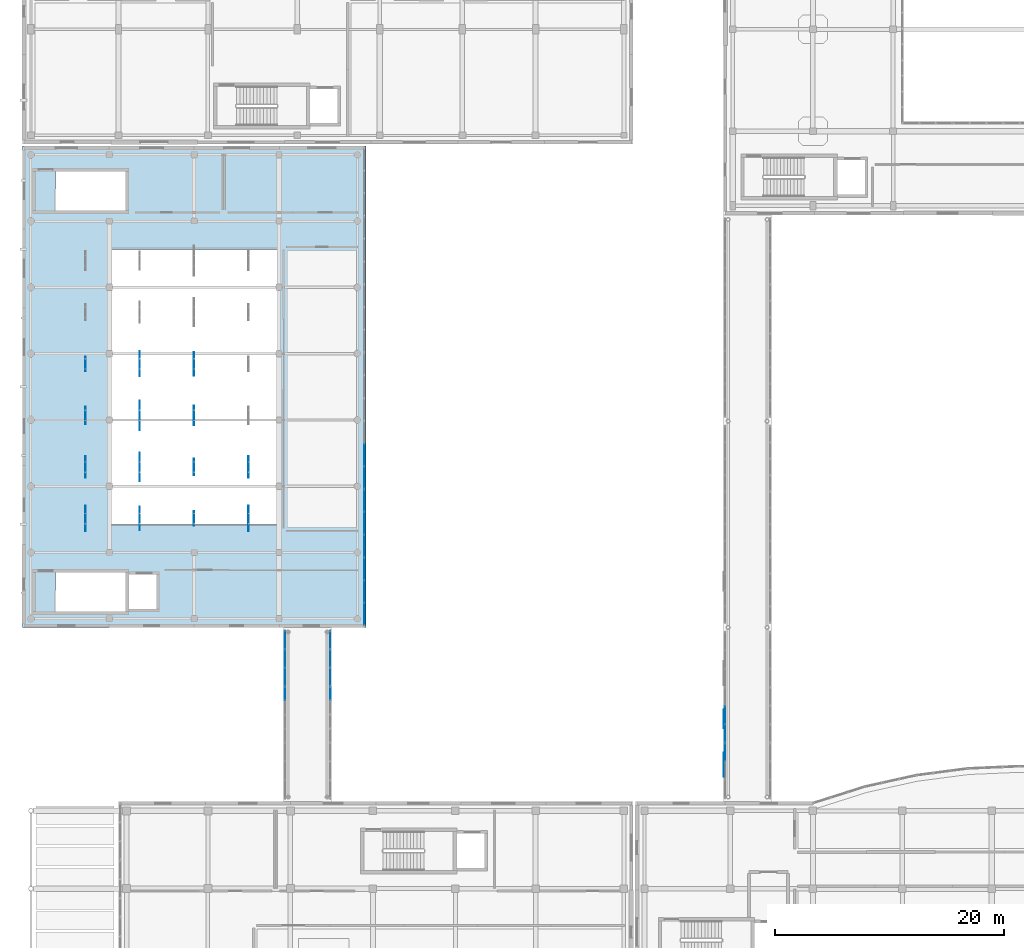
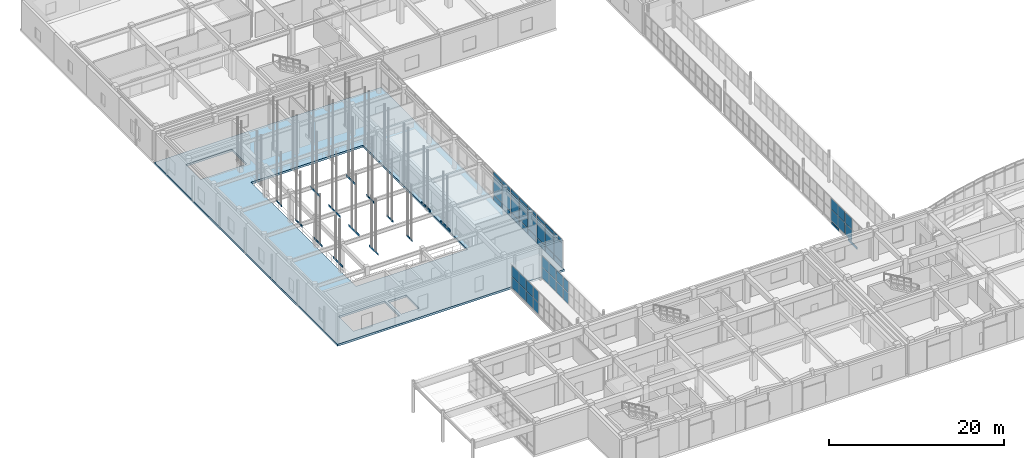
# One storey, part 105 of 142: 62 plates, 1 slab, 9 elements without a shape of their own.
"""IFC4 building model written with IfcOpenShell, lengths in metres."""

from ifc_helpers import new_model, si_unit, direction, frame, origin, origin_2d, place, context, subcontext, project, spatial, polyline, rectangle, outline, extrude, material, layer, layer_set, type_object, element, aggregate, save


model = new_model("IFC4")

# Units and contexts
model_context = context("Model", 3, precision=1e-05, world=origin(), true_north=direction((0.0, 1.0)))
body_context = subcontext(model_context, "Body", "Model", "MODEL_VIEW")
ifc_project = project(units=[si_unit("LENGTHUNIT", "METRE"), si_unit("AREAUNIT", "SQUARE_METRE"), si_unit("VOLUMEUNIT", "CUBIC_METRE"), si_unit("PLANEANGLEUNIT", "RADIAN"), si_unit("MASSUNIT", "GRAM", prefix="KILO")], contexts=[model_context])

# Site, building, storey
site_placement = place(None, origin())
site = spatial("IfcSite", under=ifc_project, at=site_placement, CompositionType="ELEMENT")
building_placement = place(site_placement, origin())
building = spatial("IfcBuilding", under=site, at=building_placement, Name="Valcora Specialist Clinic", CompositionType="ELEMENT")
storey_placement = place(building_placement, frame((0.0, 0.0, 5.10009765625)))
storey = spatial("IfcBuildingStorey", under=building, at=storey_placement, Name="L01", CompositionType="ELEMENT", Elevation=5.10009765625)

# Curtain wall, plates
ifc_material_1 = material(Name="Anodized Bronze Aluminium 6063-T6", Category="aluminium")
ifc_layer_1 = layer(ifc_material_1, 0.175048828125)
ifc_layer_set_1 = layer_set([ifc_layer_1], Name="Anodized Bronze Aluminium 6063-T6")
curtain_wall_type_1 = type_object("IfcCurtainWallType", Name="TY-CW-HAL18", PredefinedType="NOTDEFINED", material=ifc_layer_set_1)
curtain_wall_1_placement = place(storey_placement, origin())
curtain_wall_1 = element("IfcCurtainWall", 1, at=curtain_wall_1_placement, inside=storey, type_object=curtain_wall_type_1, Name="Curtain wall CW-L01-012", PredefinedType="NOTDEFINED")
ifc_material_2 = material(Name="Low-E Laminated Insulating Glass", Category="glass")
ifc_layer_2 = layer(ifc_material_2, 0.028076171875)
ifc_layer_set_2 = layer_set([ifc_layer_2], Name="Low-E Laminated Insulating Glass")
plate_type_1 = type_object("IfcPlateType", Name="TY-CWP-GLZ28", PredefinedType="CURTAIN_PANEL", material=ifc_layer_set_2)
plate_1_placement = place(storey_placement, frame((29.85009765625, 53.04296875, 0.88232421875), z_axis=(0.0, 0.0, 1.0), x_axis=(0.0, -1.0, 0.0)))
plate_1 = element("IfcPlate", 2, at=plate_1_placement, type_object=plate_type_1, Name="CW-HAL-18 panel 2.2", PredefinedType="CURTAIN_PANEL", context=body_context, shape_type="SweptSolid", body=[
    extrude(rectangle(XDim=1.920654296875, YDim=0.028076171875, at=origin_2d()), origin(), (0.0, 0.0, 1.0), 2.655029296875),
])
plate_2_placement = place(storey_placement, frame((29.85009765625, 53.04296875, 3.6025390625), z_axis=(0.0, 0.0, 1.0), x_axis=(0.0, -1.0, 0.0)))
plate_2 = element("IfcPlate", 3, at=plate_2_placement, type_object=plate_type_1, Name="CW-HAL-18 panel 2.3", PredefinedType="CURTAIN_PANEL", context=body_context, shape_type="SweptSolid", body=[
    extrude(rectangle(XDim=1.920654296875, YDim=0.028076171875, at=origin_2d()), origin(), (0.0, 0.0, 1.0), 0.452392578125),
])
plate_3_placement = place(storey_placement, frame((29.85009765625, 51.073486328125, 0.88232421875), z_axis=(0.0, 0.0, 1.0), x_axis=(0.0, -1.0, 0.0)))
plate_3 = element("IfcPlate", 4, at=plate_3_placement, type_object=plate_type_1, Name="CW-HAL-18 panel 3.2", PredefinedType="CURTAIN_PANEL", context=body_context, shape_type="SweptSolid", body=[
    extrude(rectangle(XDim=1.88818359375, YDim=0.028076171875, at=origin_2d()), origin(), (0.0, 0.0, 1.0), 2.655029296875),
])
plate_4_placement = place(storey_placement, frame((29.85009765625, 51.073486328125, 3.6025390625), z_axis=(0.0, 0.0, 1.0), x_axis=(0.0, -1.0, 0.0)))
plate_4 = element("IfcPlate", 5, at=plate_4_placement, type_object=plate_type_1, Name="CW-HAL-18 panel 3.3", PredefinedType="CURTAIN_PANEL", context=body_context, shape_type="SweptSolid", body=[
    extrude(rectangle(XDim=1.88818359375, YDim=0.028076171875, at=origin_2d()), origin(), (0.0, 0.0, 1.0), 0.452392578125),
])

curtain_wall_2_placement = place(storey_placement, origin())
curtain_wall_2 = element("IfcCurtainWall", 6, at=curtain_wall_2_placement, inside=storey, type_object=curtain_wall_type_1, Name="Curtain wall CW-L01-014", PredefinedType="NOTDEFINED")
plate_5_placement = place(storey_placement, frame((29.85009765625, 43.097900390625, 0.88232421875), z_axis=(0.0, 0.0, 1.0), x_axis=(0.0, -1.0, 0.0)))
plate_5 = element("IfcPlate", 7, at=plate_5_placement, type_object=plate_type_1, Name="CW-HAL-18 panel 1.2", PredefinedType="CURTAIN_PANEL", context=body_context, shape_type="SweptSolid", body=[
    extrude(rectangle(XDim=1.88818359375, YDim=0.028076171875, at=origin_2d()), origin(), (0.0, 0.0, 1.0), 2.655029296875),
])
plate_6_placement = place(storey_placement, frame((29.85009765625, 43.097900390625, 3.6025390625), z_axis=(0.0, 0.0, 1.0), x_axis=(0.0, -1.0, 0.0)))
plate_6 = element("IfcPlate", 8, at=plate_6_placement, type_object=plate_type_1, Name="CW-HAL-18 panel 1.3", PredefinedType="CURTAIN_PANEL", context=body_context, shape_type="SweptSolid", body=[
    extrude(rectangle(XDim=1.88818359375, YDim=0.028076171875, at=origin_2d()), origin(), (0.0, 0.0, 1.0), 0.452392578125),
])
plate_7_placement = place(storey_placement, frame((29.85009765625, 41.128662109375, 0.88232421875), z_axis=(0.0, 0.0, 1.0), x_axis=(0.0, -1.0, 0.0)))
plate_7 = element("IfcPlate", 9, at=plate_7_placement, type_object=plate_type_1, Name="CW-HAL-18 panel 2.2", PredefinedType="CURTAIN_PANEL", context=body_context, shape_type="SweptSolid", body=[
    extrude(rectangle(XDim=1.920654296875, YDim=0.028076171875, at=origin_2d()), origin(), (0.0, 0.0, 1.0), 2.655029296875),
])
plate_8_placement = place(storey_placement, frame((29.85009765625, 41.128662109375, 3.6025390625), z_axis=(0.0, 0.0, 1.0), x_axis=(0.0, -1.0, 0.0)))
plate_8 = element("IfcPlate", 10, at=plate_8_placement, type_object=plate_type_1, Name="CW-HAL-18 panel 2.3", PredefinedType="CURTAIN_PANEL", context=body_context, shape_type="SweptSolid", body=[
    extrude(rectangle(XDim=1.920654296875, YDim=0.028076171875, at=origin_2d()), origin(), (0.0, 0.0, 1.0), 0.452392578125),
])
plate_9_placement = place(storey_placement, frame((29.85009765625, 39.1591796875, 0.88232421875), z_axis=(0.0, 0.0, 1.0), x_axis=(0.0, -1.0, 0.0)))
plate_9 = element("IfcPlate", 11, at=plate_9_placement, type_object=plate_type_1, Name="CW-HAL-18 panel 3.2", PredefinedType="CURTAIN_PANEL", context=body_context, shape_type="SweptSolid", body=[
    extrude(rectangle(XDim=1.88818359375, YDim=0.028076171875, at=origin_2d()), origin(), (0.0, 0.0, 1.0), 2.655029296875),
])
plate_10_placement = place(storey_placement, frame((29.85009765625, 39.1591796875, 3.6025390625), z_axis=(0.0, 0.0, 1.0), x_axis=(0.0, -1.0, 0.0)))
plate_10 = element("IfcPlate", 12, at=plate_10_placement, type_object=plate_type_1, Name="CW-HAL-18 panel 3.3", PredefinedType="CURTAIN_PANEL", context=body_context, shape_type="SweptSolid", body=[
    extrude(rectangle(XDim=1.88818359375, YDim=0.028076171875, at=origin_2d()), origin(), (0.0, 0.0, 1.0), 0.452392578125),
])

ifc_layer_3 = layer(ifc_material_1, 0.175048828125)
ifc_layer_set_3 = layer_set([ifc_layer_3], Name="Anodized Bronze Aluminium 6063-T6")
curtain_wall_type_2 = type_object("IfcCurtainWallType", Name="TY-CW-BRG14", PredefinedType="NOTDEFINED", material=ifc_layer_set_3)
curtain_wall_3_placement = place(storey_placement, origin())
curtain_wall_3 = element("IfcCurtainWall", 13, at=curtain_wall_3_placement, inside=storey, type_object=curtain_wall_type_2, Name="Curtain wall CW-L01-226", PredefinedType="NOTDEFINED")
plate_11_placement = place(storey_placement, frame((22.919921875, 32.22119140625, 0.06494140625), z_axis=(0.0, 0.0, 1.0), x_axis=(0.0, 1.0, 0.0)))
plate_11 = element("IfcPlate", 14, at=plate_11_placement, type_object=plate_type_1, Name="CW-BRG-14 panel 4.1", PredefinedType="CURTAIN_PANEL", context=body_context, shape_type="SweptSolid", body=[
    extrude(rectangle(XDim=1.12744140625, YDim=0.028076171875, at=origin_2d()), origin(), (0.0, 0.0, 1.0), 1.5224609375),
])
plate_12_placement = place(storey_placement, frame((22.919921875, 32.22119140625, 1.65234375), z_axis=(0.0, 0.0, 1.0), x_axis=(0.0, 1.0, 0.0)))
plate_12 = element("IfcPlate", 15, at=plate_12_placement, type_object=plate_type_1, Name="CW-BRG-14 panel 4.2", PredefinedType="CURTAIN_PANEL", context=body_context, shape_type="SweptSolid", body=[
    extrude(rectangle(XDim=1.12744140625, YDim=0.028076171875, at=origin_2d()), origin(), (0.0, 0.0, 1.0), 1.5224609375),
])
aggregate(curtain_wall_3, [plate_11, plate_12])

curtain_wall_4_placement = place(storey_placement, origin())
curtain_wall_4 = element("IfcCurtainWall", 16, at=curtain_wall_4_placement, inside=storey, type_object=curtain_wall_type_2, Name="Curtain wall CW-L01-230", PredefinedType="NOTDEFINED")
plate_13_placement = place(storey_placement, frame((26.8798828125, 33.682861328125, 0.06494140625), z_axis=(0.0, 0.0, 1.0), x_axis=(0.0, 1.0, 0.0)))
plate_13 = element("IfcPlate", 17, at=plate_13_placement, type_object=plate_type_1, Name="CW-BRG-14 panel 1.1", PredefinedType="CURTAIN_PANEL", context=body_context, shape_type="SweptSolid", body=[
    extrude(rectangle(XDim=1.535888671875, YDim=0.028076171875, at=origin_2d()), origin(), (0.0, 0.0, 1.0), 1.5224609375),
])
plate_14_placement = place(storey_placement, frame((26.8798828125, 33.682861328125, 1.65234375), z_axis=(0.0, 0.0, 1.0), x_axis=(0.0, 1.0, 0.0)))
plate_14 = element("IfcPlate", 18, at=plate_14_placement, type_object=plate_type_1, Name="CW-BRG-14 panel 1.2", PredefinedType="CURTAIN_PANEL", context=body_context, shape_type="SweptSolid", body=[
    extrude(rectangle(XDim=1.535888671875, YDim=0.028076171875, at=origin_2d()), origin(), (0.0, 0.0, 1.0), 1.5224609375),
])
plate_15_placement = place(storey_placement, frame((26.8798828125, 35.300048828125, 0.06494140625), z_axis=(0.0, 0.0, 1.0), x_axis=(0.0, 1.0, 0.0)))
plate_15 = element("IfcPlate", 19, at=plate_15_placement, type_object=plate_type_1, Name="CW-BRG-14 panel 2.1", PredefinedType="CURTAIN_PANEL", context=body_context, shape_type="SweptSolid", body=[
    extrude(rectangle(XDim=1.568359375, YDim=0.028076171875, at=origin_2d()), origin(), (0.0, 0.0, 1.0), 1.5224609375),
])
plate_16_placement = place(storey_placement, frame((26.8798828125, 35.300048828125, 1.65234375), z_axis=(0.0, 0.0, 1.0), x_axis=(0.0, 1.0, 0.0)))
plate_16 = element("IfcPlate", 20, at=plate_16_placement, type_object=plate_type_1, Name="CW-BRG-14 panel 2.2", PredefinedType="CURTAIN_PANEL", context=body_context, shape_type="SweptSolid", body=[
    extrude(rectangle(XDim=1.568359375, YDim=0.028076171875, at=origin_2d()), origin(), (0.0, 0.0, 1.0), 1.5224609375),
])
plate_17_placement = place(storey_placement, frame((26.8798828125, 36.9169921875, 0.06494140625), z_axis=(0.0, 0.0, 1.0), x_axis=(0.0, 1.0, 0.0)))
plate_17 = element("IfcPlate", 21, at=plate_17_placement, type_object=plate_type_1, Name="CW-BRG-14 panel 3.1", PredefinedType="CURTAIN_PANEL", context=body_context, shape_type="SweptSolid", body=[
    extrude(rectangle(XDim=1.535888671875, YDim=0.028076171875, at=origin_2d()), origin(), (0.0, 0.0, 1.0), 1.5224609375),
])
plate_18_placement = place(storey_placement, frame((26.8798828125, 36.9169921875, 1.65234375), z_axis=(0.0, 0.0, 1.0), x_axis=(0.0, 1.0, 0.0)))
plate_18 = element("IfcPlate", 22, at=plate_18_placement, type_object=plate_type_1, Name="CW-BRG-14 panel 3.2", PredefinedType="CURTAIN_PANEL", context=body_context, shape_type="SweptSolid", body=[
    extrude(rectangle(XDim=1.535888671875, YDim=0.028076171875, at=origin_2d()), origin(), (0.0, 0.0, 1.0), 1.5224609375),
])
aggregate(curtain_wall_4, [plate_13, plate_14, plate_15, plate_16, plate_17, plate_18])

curtain_wall_5_placement = place(storey_placement, origin())
curtain_wall_5 = element("IfcCurtainWall", 23, at=curtain_wall_5_placement, inside=storey, type_object=curtain_wall_type_2, Name="Curtain wall CW-L01-232", PredefinedType="NOTDEFINED")
plate_19_placement = place(storey_placement, frame((61.320068359375, 28.755126953125, 0.06494140625), z_axis=(0.0, 0.0, 1.0), x_axis=(0.0, 1.0, 0.0)))
plate_19 = element("IfcPlate", 24, at=plate_19_placement, type_object=plate_type_1, Name="CW-BRG-14 panel 1.1", PredefinedType="CURTAIN_PANEL", context=body_context, shape_type="SweptSolid", body=[
    extrude(rectangle(XDim=1.513671875, YDim=0.028076171875, at=origin_2d()), origin(), (0.0, 0.0, 1.0), 1.5224609375),
])
plate_20_placement = place(storey_placement, frame((61.320068359375, 28.755126953125, 1.65234375), z_axis=(0.0, 0.0, 1.0), x_axis=(0.0, 1.0, 0.0)))
plate_20 = element("IfcPlate", 25, at=plate_20_placement, type_object=plate_type_1, Name="CW-BRG-14 panel 1.2", PredefinedType="CURTAIN_PANEL", context=body_context, shape_type="SweptSolid", body=[
    extrude(rectangle(XDim=1.513671875, YDim=0.028076171875, at=origin_2d()), origin(), (0.0, 0.0, 1.0), 1.5224609375),
])
plate_21_placement = place(storey_placement, frame((61.320068359375, 30.35009765625, 0.06494140625), z_axis=(0.0, 0.0, 1.0), x_axis=(0.0, 1.0, 0.0)))
plate_21 = element("IfcPlate", 26, at=plate_21_placement, type_object=plate_type_1, Name="CW-BRG-14 panel 2.1", PredefinedType="CURTAIN_PANEL", context=body_context, shape_type="SweptSolid", body=[
    extrude(rectangle(XDim=1.546142578125, YDim=0.028076171875, at=origin_2d()), origin(), (0.0, 0.0, 1.0), 1.5224609375),
])
plate_22_placement = place(storey_placement, frame((61.320068359375, 30.35009765625, 1.65234375), z_axis=(0.0, 0.0, 1.0), x_axis=(0.0, 1.0, 0.0)))
plate_22 = element("IfcPlate", 27, at=plate_22_placement, type_object=plate_type_1, Name="CW-BRG-14 panel 2.2", PredefinedType="CURTAIN_PANEL", context=body_context, shape_type="SweptSolid", body=[
    extrude(rectangle(XDim=1.546142578125, YDim=0.028076171875, at=origin_2d()), origin(), (0.0, 0.0, 1.0), 1.5224609375),
])
aggregate(curtain_wall_5, [plate_19, plate_20, plate_21, plate_22])

curtain_wall_6_placement = place(storey_placement, origin())
curtain_wall_6 = element("IfcCurtainWall", 28, at=curtain_wall_6_placement, inside=storey, type_object=curtain_wall_type_1, Name="Curtain wall CW-L01-013", PredefinedType="NOTDEFINED")
ifc_layer_4 = layer(ifc_material_2, 0.033935546875)
ifc_layer_set_4 = layer_set([ifc_layer_4], Name="Low-E Laminated Insulating Glass")
plate_type_2 = type_object("IfcPlateType", Name="TY-CWP-GLZ34", PredefinedType="CURTAIN_PANEL", material=ifc_layer_set_4)
plate_23_placement = place(storey_placement, frame((29.85009765625, 49.05517578125, 0.88232421875), z_axis=(0.0, 0.0, 1.0), x_axis=(0.0, -1.0, 0.0)))
plate_23 = element("IfcPlate", 29, at=plate_23_placement, type_object=plate_type_2, Name="CW-HAL-18 panel 1.2", PredefinedType="CURTAIN_PANEL", context=body_context, shape_type="SweptSolid", body=[
    extrude(rectangle(XDim=1.88818359375, YDim=0.033935546875, at=origin_2d()), origin(), (0.0, 0.0, 1.0), 2.655029296875),
])
plate_24_placement = place(storey_placement, frame((29.85009765625, 49.05517578125, 3.6025390625), z_axis=(0.0, 0.0, 1.0), x_axis=(0.0, -1.0, 0.0)))
plate_24 = element("IfcPlate", 30, at=plate_24_placement, type_object=plate_type_2, Name="CW-HAL-18 panel 1.3", PredefinedType="CURTAIN_PANEL", context=body_context, shape_type="SweptSolid", body=[
    extrude(rectangle(XDim=1.88818359375, YDim=0.033935546875, at=origin_2d()), origin(), (0.0, 0.0, 1.0), 0.452392578125),
])
plate_25_placement = place(storey_placement, frame((29.85009765625, 47.085693359375, 0.88232421875), z_axis=(0.0, 0.0, 1.0), x_axis=(0.0, -1.0, 0.0)))
plate_25 = element("IfcPlate", 31, at=plate_25_placement, type_object=plate_type_2, Name="CW-HAL-18 panel 2.2", PredefinedType="CURTAIN_PANEL", context=body_context, shape_type="SweptSolid", body=[
    extrude(rectangle(XDim=1.920654296875, YDim=0.033935546875, at=origin_2d()), origin(), (0.0, 0.0, 1.0), 2.655029296875),
])
plate_26_placement = place(storey_placement, frame((29.85009765625, 47.085693359375, 3.6025390625), z_axis=(0.0, 0.0, 1.0), x_axis=(0.0, -1.0, 0.0)))
plate_26 = element("IfcPlate", 32, at=plate_26_placement, type_object=plate_type_2, Name="CW-HAL-18 panel 2.3", PredefinedType="CURTAIN_PANEL", context=body_context, shape_type="SweptSolid", body=[
    extrude(rectangle(XDim=1.920654296875, YDim=0.033935546875, at=origin_2d()), origin(), (0.0, 0.0, 1.0), 0.452392578125),
])
plate_27_placement = place(storey_placement, frame((29.85009765625, 45.1162109375, 0.88232421875), z_axis=(0.0, 0.0, 1.0), x_axis=(0.0, -1.0, 0.0)))
plate_27 = element("IfcPlate", 33, at=plate_27_placement, type_object=plate_type_2, Name="CW-HAL-18 panel 3.2", PredefinedType="CURTAIN_PANEL", context=body_context, shape_type="SweptSolid", body=[
    extrude(rectangle(XDim=1.88818359375, YDim=0.033935546875, at=origin_2d()), origin(), (0.0, 0.0, 1.0), 2.655029296875),
])
plate_28_placement = place(storey_placement, frame((29.85009765625, 45.1162109375, 3.6025390625), z_axis=(0.0, 0.0, 1.0), x_axis=(0.0, -1.0, 0.0)))
plate_28 = element("IfcPlate", 34, at=plate_28_placement, type_object=plate_type_2, Name="CW-HAL-18 panel 3.3", PredefinedType="CURTAIN_PANEL", context=body_context, shape_type="SweptSolid", body=[
    extrude(rectangle(XDim=1.88818359375, YDim=0.033935546875, at=origin_2d()), origin(), (0.0, 0.0, 1.0), 0.452392578125),
])

curtain_wall_7_placement = place(storey_placement, origin())
curtain_wall_7 = element("IfcCurtainWall", 35, at=curtain_wall_7_placement, inside=storey, type_object=curtain_wall_type_2, Name="Curtain wall CW-L01-227", PredefinedType="NOTDEFINED")
plate_29_placement = place(storey_placement, frame((22.919921875, 33.682861328125, 0.06494140625), z_axis=(0.0, 0.0, 1.0), x_axis=(0.0, 1.0, 0.0)))
plate_29 = element("IfcPlate", 36, at=plate_29_placement, type_object=plate_type_2, Name="CW-BRG-14 panel 1.1", PredefinedType="CURTAIN_PANEL", context=body_context, shape_type="SweptSolid", body=[
    extrude(rectangle(XDim=1.535888671875, YDim=0.033935546875, at=origin_2d()), origin(), (0.0, 0.0, 1.0), 1.5224609375),
])
plate_30_placement = place(storey_placement, frame((22.919921875, 33.682861328125, 1.65234375), z_axis=(0.0, 0.0, 1.0), x_axis=(0.0, 1.0, 0.0)))
plate_30 = element("IfcPlate", 37, at=plate_30_placement, type_object=plate_type_2, Name="CW-BRG-14 panel 1.2", PredefinedType="CURTAIN_PANEL", context=body_context, shape_type="SweptSolid", body=[
    extrude(rectangle(XDim=1.535888671875, YDim=0.033935546875, at=origin_2d()), origin(), (0.0, 0.0, 1.0), 1.5224609375),
])
plate_31_placement = place(storey_placement, frame((22.919921875, 35.300048828125, 0.06494140625), z_axis=(0.0, 0.0, 1.0), x_axis=(0.0, 1.0, 0.0)))
plate_31 = element("IfcPlate", 38, at=plate_31_placement, type_object=plate_type_2, Name="CW-BRG-14 panel 2.1", PredefinedType="CURTAIN_PANEL", context=body_context, shape_type="SweptSolid", body=[
    extrude(rectangle(XDim=1.568359375, YDim=0.033935546875, at=origin_2d()), origin(), (0.0, 0.0, 1.0), 1.5224609375),
])
plate_32_placement = place(storey_placement, frame((22.919921875, 35.300048828125, 1.65234375), z_axis=(0.0, 0.0, 1.0), x_axis=(0.0, 1.0, 0.0)))
plate_32 = element("IfcPlate", 39, at=plate_32_placement, type_object=plate_type_2, Name="CW-BRG-14 panel 2.2", PredefinedType="CURTAIN_PANEL", context=body_context, shape_type="SweptSolid", body=[
    extrude(rectangle(XDim=1.568359375, YDim=0.033935546875, at=origin_2d()), origin(), (0.0, 0.0, 1.0), 1.5224609375),
])
plate_33_placement = place(storey_placement, frame((22.919921875, 36.9169921875, 0.06494140625), z_axis=(0.0, 0.0, 1.0), x_axis=(0.0, 1.0, 0.0)))
plate_33 = element("IfcPlate", 40, at=plate_33_placement, type_object=plate_type_2, Name="CW-BRG-14 panel 3.1", PredefinedType="CURTAIN_PANEL", context=body_context, shape_type="SweptSolid", body=[
    extrude(rectangle(XDim=1.535888671875, YDim=0.033935546875, at=origin_2d()), origin(), (0.0, 0.0, 1.0), 1.5224609375),
])
plate_34_placement = place(storey_placement, frame((22.919921875, 36.9169921875, 1.65234375), z_axis=(0.0, 0.0, 1.0), x_axis=(0.0, 1.0, 0.0)))
plate_34 = element("IfcPlate", 41, at=plate_34_placement, type_object=plate_type_2, Name="CW-BRG-14 panel 3.2", PredefinedType="CURTAIN_PANEL", context=body_context, shape_type="SweptSolid", body=[
    extrude(rectangle(XDim=1.535888671875, YDim=0.033935546875, at=origin_2d()), origin(), (0.0, 0.0, 1.0), 1.5224609375),
])
aggregate(curtain_wall_7, [plate_29, plate_30, plate_31, plate_32, plate_33, plate_34])

curtain_wall_8_placement = place(storey_placement, origin())
curtain_wall_8 = element("IfcCurtainWall", 42, at=curtain_wall_8_placement, inside=storey, type_object=curtain_wall_type_2, Name="Curtain wall CW-L01-229", PredefinedType="NOTDEFINED")
plate_35_placement = place(storey_placement, frame((26.8798828125, 32.22119140625, 0.06494140625), z_axis=(0.0, 0.0, 1.0), x_axis=(0.0, 1.0, 0.0)))
plate_35 = element("IfcPlate", 43, at=plate_35_placement, type_object=plate_type_2, Name="CW-BRG-14 panel 4.1", PredefinedType="CURTAIN_PANEL", context=body_context, shape_type="SweptSolid", body=[
    extrude(rectangle(XDim=1.12744140625, YDim=0.033935546875, at=origin_2d()), origin(), (0.0, 0.0, 1.0), 1.5224609375),
])
plate_36_placement = place(storey_placement, frame((26.8798828125, 32.22119140625, 1.65234375), z_axis=(0.0, 0.0, 1.0), x_axis=(0.0, 1.0, 0.0)))
plate_36 = element("IfcPlate", 44, at=plate_36_placement, type_object=plate_type_2, Name="CW-BRG-14 panel 4.2", PredefinedType="CURTAIN_PANEL", context=body_context, shape_type="SweptSolid", body=[
    extrude(rectangle(XDim=1.12744140625, YDim=0.033935546875, at=origin_2d()), origin(), (0.0, 0.0, 1.0), 1.5224609375),
])
aggregate(curtain_wall_8, [plate_35, plate_36])

curtain_wall_9_placement = place(storey_placement, origin())
curtain_wall_9 = element("IfcCurtainWall", 45, at=curtain_wall_9_placement, inside=storey, type_object=curtain_wall_type_2, Name="Curtain wall CW-L01-231", PredefinedType="NOTDEFINED")
plate_37_placement = place(storey_placement, frame((61.320068359375, 27.111572265625, 0.06494140625), z_axis=(0.0, 0.0, 1.0), x_axis=(0.0, 1.0, 0.0)))
plate_37 = element("IfcPlate", 46, at=plate_37_placement, type_object=plate_type_2, Name="CW-BRG-14 panel 3.1", PredefinedType="CURTAIN_PANEL", context=body_context, shape_type="SweptSolid", body=[
    extrude(rectangle(XDim=1.513671875, YDim=0.033935546875, at=origin_2d()), origin(), (0.0, 0.0, 1.0), 1.5224609375),
])
plate_38_placement = place(storey_placement, frame((61.320068359375, 27.111572265625, 1.65234375), z_axis=(0.0, 0.0, 1.0), x_axis=(0.0, 1.0, 0.0)))
plate_38 = element("IfcPlate", 47, at=plate_38_placement, type_object=plate_type_2, Name="CW-BRG-14 panel 3.2", PredefinedType="CURTAIN_PANEL", context=body_context, shape_type="SweptSolid", body=[
    extrude(rectangle(XDim=1.513671875, YDim=0.033935546875, at=origin_2d()), origin(), (0.0, 0.0, 1.0), 1.5224609375),
])
aggregate(curtain_wall_9, [plate_37, plate_38])

# Plate
ifc_material_3 = material(Name="Insulated Spandrel Panel")
ifc_layer_5 = layer(ifc_material_3, 0.044921875)
ifc_layer_set_5 = layer_set([ifc_layer_5], Name="Insulated Spandrel Panel")
plate_type_3 = type_object("IfcPlateType", Name="TY-CWP-SPN45", PredefinedType="SHEET", material=ifc_layer_set_5)
plate_39_placement = place(storey_placement, frame((29.85009765625, 53.04296875, 0.06494140625), z_axis=(0.0, 0.0, 1.0), x_axis=(0.0, -1.0, 0.0)))
plate_39 = element("IfcPlate", 48, at=plate_39_placement, type_object=plate_type_3, Name="CW-HAL-18 panel 2.1", PredefinedType="SHEET", context=body_context, shape_type="SweptSolid", body=[
    extrude(rectangle(XDim=1.920654296875, YDim=0.044921875, at=origin_2d()), origin(), (0.0, 0.0, 1.0), 0.75244140625),
])

plate_40_placement = place(storey_placement, frame((29.85009765625, 51.073486328125, 0.06494140625), z_axis=(0.0, 0.0, 1.0), x_axis=(0.0, -1.0, 0.0)))
plate_40 = element("IfcPlate", 49, at=plate_40_placement, type_object=plate_type_3, Name="CW-HAL-18 panel 3.1", PredefinedType="SHEET", context=body_context, shape_type="SweptSolid", body=[
    extrude(rectangle(XDim=1.88818359375, YDim=0.044921875, at=origin_2d()), origin(), (0.0, 0.0, 1.0), 0.75244140625),
])

aggregate(curtain_wall_1, [plate_39, plate_1, plate_2, plate_40, plate_3, plate_4])

plate_41_placement = place(storey_placement, frame((29.85009765625, 49.05517578125, 0.06494140625), z_axis=(0.0, 0.0, 1.0), x_axis=(0.0, -1.0, 0.0)))
plate_41 = element("IfcPlate", 50, at=plate_41_placement, type_object=plate_type_3, Name="CW-HAL-18 panel 1.1", PredefinedType="SHEET", context=body_context, shape_type="SweptSolid", body=[
    extrude(rectangle(XDim=1.88818359375, YDim=0.044921875, at=origin_2d()), origin(), (0.0, 0.0, 1.0), 0.75244140625),
])

plate_42_placement = place(storey_placement, frame((29.85009765625, 47.085693359375, 0.06494140625), z_axis=(0.0, 0.0, 1.0), x_axis=(0.0, -1.0, 0.0)))
plate_42 = element("IfcPlate", 51, at=plate_42_placement, type_object=plate_type_3, Name="CW-HAL-18 panel 2.1", PredefinedType="SHEET", context=body_context, shape_type="SweptSolid", body=[
    extrude(rectangle(XDim=1.920654296875, YDim=0.044921875, at=origin_2d()), origin(), (0.0, 0.0, 1.0), 0.75244140625),
])

plate_43_placement = place(storey_placement, frame((29.85009765625, 45.1162109375, 0.06494140625), z_axis=(0.0, 0.0, 1.0), x_axis=(0.0, -1.0, 0.0)))
plate_43 = element("IfcPlate", 52, at=plate_43_placement, type_object=plate_type_3, Name="CW-HAL-18 panel 3.1", PredefinedType="SHEET", context=body_context, shape_type="SweptSolid", body=[
    extrude(rectangle(XDim=1.88818359375, YDim=0.044921875, at=origin_2d()), origin(), (0.0, 0.0, 1.0), 0.75244140625),
])

aggregate(curtain_wall_6, [plate_41, plate_23, plate_24, plate_42, plate_25, plate_26, plate_43, plate_27, plate_28])

plate_44_placement = place(storey_placement, frame((29.85009765625, 43.097900390625, 0.06494140625), z_axis=(0.0, 0.0, 1.0), x_axis=(0.0, -1.0, 0.0)))
plate_44 = element("IfcPlate", 53, at=plate_44_placement, type_object=plate_type_3, Name="CW-HAL-18 panel 1.1", PredefinedType="SHEET", context=body_context, shape_type="SweptSolid", body=[
    extrude(rectangle(XDim=1.88818359375, YDim=0.044921875, at=origin_2d()), origin(), (0.0, 0.0, 1.0), 0.75244140625),
])

plate_45_placement = place(storey_placement, frame((29.85009765625, 41.128662109375, 0.06494140625), z_axis=(0.0, 0.0, 1.0), x_axis=(0.0, -1.0, 0.0)))
plate_45 = element("IfcPlate", 54, at=plate_45_placement, type_object=plate_type_3, Name="CW-HAL-18 panel 2.1", PredefinedType="SHEET", context=body_context, shape_type="SweptSolid", body=[
    extrude(rectangle(XDim=1.920654296875, YDim=0.044921875, at=origin_2d()), origin(), (0.0, 0.0, 1.0), 0.75244140625),
])

plate_46_placement = place(storey_placement, frame((29.85009765625, 39.1591796875, 0.06494140625), z_axis=(0.0, 0.0, 1.0), x_axis=(0.0, -1.0, 0.0)))
plate_46 = element("IfcPlate", 55, at=plate_46_placement, type_object=plate_type_3, Name="CW-HAL-18 panel 3.1", PredefinedType="SHEET", context=body_context, shape_type="SweptSolid", body=[
    extrude(rectangle(XDim=1.88818359375, YDim=0.044921875, at=origin_2d()), origin(), (0.0, 0.0, 1.0), 0.75244140625),
])

aggregate(curtain_wall_2, [plate_44, plate_5, plate_6, plate_45, plate_7, plate_8, plate_46, plate_9, plate_10])

# Plates
ifc_layer_6 = layer(ifc_material_1, 0.0419921875)
ifc_layer_set_6 = layer_set([ifc_layer_6], Name="Anodized Bronze Aluminium 6063-T6")
plate_type_4 = type_object("IfcPlateType", Name="TY-PL-BAF1", PredefinedType="SHEET", material=ifc_layer_set_6)
plate_47_placement = place(storey_placement, frame((10.25, 56.5, 3.6796875), z_axis=(0.0, 0.0, 1.0), x_axis=(0.0, 1.0, 0.0)))
element("IfcPlate", 56, at=plate_47_placement, inside=storey, type_object=plate_type_4, Name="Acoustic ceiling baffle 9", PredefinedType="SHEET", context=body_context, shape_type="SweptSolid", body=[
    extrude(rectangle(XDim=2.60009765625, YDim=0.0419921875, at=origin_2d()), origin(), (0.0, 0.0, 1.0), 0.340087890625),
])
ifc_layer_7 = layer(ifc_material_1, 0.0400390625)
ifc_layer_set_7 = layer_set([ifc_layer_7], Name="Anodized Bronze Aluminium 6063-T6")
plate_type_5 = type_object("IfcPlateType", Name="TY-PL-BAF2", PredefinedType="SHEET", material=ifc_layer_set_7)
for number, where, z_axis, x_axis, name in (
    (57, (5.5, 47.5, 3.69970703125), (0.0, 0.0, 1.0), (0.0, 1.0, 0.0), "Acoustic ceiling baffle 1"),
    (58, (10.25, 61.0, 3.69970703125), (0.0, 0.0, 1.0), (0.0, 1.0, 0.0), "Acoustic ceiling baffle 10"),
    (59, (19.75, 47.5, 3.69970703125), (0.0, 0.0, 1.0), (0.0, 1.0, 0.0), "Acoustic ceiling baffle 19"),
):
    element("IfcPlate", number, at=place(storey_placement, frame(where, z_axis=z_axis, x_axis=x_axis)), inside=storey, type_object=plate_type_5, Name=name, PredefinedType="SHEET", context=body_context, shape_type="SweptSolid", body=[
        extrude(rectangle(XDim=2.199951171875, YDim=0.0400390625, at=origin_2d()), origin(), (0.0, 0.0, 1.0), 0.300048828125),
    ])
ifc_layer_8 = layer(ifc_material_1, 0.0380859375)
ifc_layer_set_8 = layer_set([ifc_layer_8], Name="Anodized Bronze Aluminium 6063-T6")
plate_type_6 = type_object("IfcPlateType", Name="TY-PL-BAF3", PredefinedType="SHEET", material=ifc_layer_set_8)
for number, where, z_axis, x_axis, name in (
    (60, (5.5, 52.0, 3.71484375), (0.0, 0.0, 1.0), (0.0, 1.0, 0.0), "Acoustic ceiling baffle 2"),
    (61, (19.75, 52.0, 3.71484375), (0.0, 0.0, 1.0), (0.0, 1.0, 0.0), "Acoustic ceiling baffle 20"),
):
    element("IfcPlate", number, at=place(storey_placement, frame(where, z_axis=z_axis, x_axis=x_axis)), inside=storey, type_object=plate_type_6, Name=name, PredefinedType="SHEET", context=body_context, shape_type="SweptSolid", body=[
        extrude(rectangle(XDim=1.85009765625, YDim=0.0380859375, at=origin_2d()), origin(), (0.0, 0.0, 1.0), 0.27001953125),
    ])
ifc_layer_9 = layer(ifc_material_1, 0.035888671875)
ifc_layer_set_9 = layer_set([ifc_layer_9], Name="Anodized Bronze Aluminium 6063-T6")
plate_type_7 = type_object("IfcPlateType", Name="TY-PL-BAF4", PredefinedType="SHEET", material=ifc_layer_set_9)
plate_48_placement = place(storey_placement, frame((5.5, 56.5, 3.72998046875), z_axis=(0.0, 0.0, 1.0), x_axis=(0.0, 1.0, 0.0)))
element("IfcPlate", 62, at=plate_48_placement, inside=storey, type_object=plate_type_7, Name="Acoustic ceiling baffle 3", PredefinedType="SHEET", context=body_context, shape_type="SweptSolid", body=[
    extrude(rectangle(XDim=1.550048828125, YDim=0.035888671875, at=origin_2d()), origin(), (0.0, 0.0, 1.0), 0.239990234375),
])
ifc_layer_10 = layer(ifc_material_1, 0.033935546875)
ifc_layer_set_10 = layer_set([ifc_layer_10], Name="Anodized Bronze Aluminium 6063-T6")
plate_type_8 = type_object("IfcPlateType", Name="TY-PL-BAF5", PredefinedType="SHEET", material=ifc_layer_set_10)
for number, where, z_axis, x_axis, name in (
    (63, (5.5, 61.0, 3.744873046875), (0.0, 0.0, 1.0), (0.0, 1.0, 0.0), "Acoustic ceiling baffle 4"),
    (64, (15.0, 47.5, 3.744873046875), (0.0, 0.0, 1.0), (0.0, 1.0, 0.0), "Acoustic ceiling baffle 13"),
):
    element("IfcPlate", number, at=place(storey_placement, frame(where, z_axis=z_axis, x_axis=x_axis)), inside=storey, type_object=plate_type_8, Name=name, PredefinedType="SHEET", context=body_context, shape_type="SweptSolid", body=[
        extrude(rectangle(XDim=1.25, YDim=0.033935546875, at=origin_2d()), origin(), (0.0, 0.0, 1.0), 0.2099609375),
    ])
ifc_layer_11 = layer(ifc_material_1, 0.034912109375)
ifc_layer_set_11 = layer_set([ifc_layer_11], Name="Anodized Bronze Aluminium 6063-T6")
plate_type_9 = type_object("IfcPlateType", Name="TY-PL-BAF6", PredefinedType="SHEET", material=ifc_layer_set_11)
plate_49_placement = place(storey_placement, frame((15.0, 52.0, 3.73974609375), z_axis=(0.0, 0.0, 1.0), x_axis=(0.0, 1.0, 0.0)))
element("IfcPlate", 65, at=plate_49_placement, inside=storey, type_object=plate_type_9, Name="Acoustic ceiling baffle 14", PredefinedType="SHEET", context=body_context, shape_type="SweptSolid", body=[
    extrude(rectangle(XDim=1.39990234375, YDim=0.034912109375, at=origin_2d()), origin(), (0.0, 0.0, 1.0), 0.219970703125),
])
ifc_layer_12 = layer(ifc_material_1, 0.037109375)
ifc_layer_set_12 = layer_set([ifc_layer_12], Name="Anodized Bronze Aluminium 6063-T6")
plate_type_10 = type_object("IfcPlateType", Name="TY-PL-BAF7", PredefinedType="SHEET", material=ifc_layer_set_12)
plate_50_placement = place(storey_placement, frame((15.0, 56.5, 3.724853515625), z_axis=(0.0, 0.0, 1.0), x_axis=(0.0, 1.0, 0.0)))
element("IfcPlate", 66, at=plate_50_placement, inside=storey, type_object=plate_type_10, Name="Acoustic ceiling baffle 15", PredefinedType="SHEET", context=body_context, shape_type="SweptSolid", body=[
    extrude(rectangle(XDim=1.699951171875, YDim=0.037109375, at=origin_2d()), origin(), (0.0, 0.0, 1.0), 0.25),
])
ifc_layer_13 = layer(ifc_material_1, 0.0390625)
ifc_layer_set_13 = layer_set([ifc_layer_13], Name="Anodized Bronze Aluminium 6063-T6")
plate_type_11 = type_object("IfcPlateType", Name="TY-PL-BAF8", PredefinedType="SHEET", material=ifc_layer_set_13)
for number, where, z_axis, x_axis, name in (
    (67, (10.25, 47.5, 3.704833984375), (0.0, 0.0, 1.0), (0.0, 1.0, 0.0), "Acoustic ceiling baffle 7"),
    (68, (15.0, 61.0, 3.704833984375), (0.0, 0.0, 1.0), (0.0, 1.0, 0.0), "Acoustic ceiling baffle 16"),
):
    element("IfcPlate", number, at=place(storey_placement, frame(where, z_axis=z_axis, x_axis=x_axis)), inside=storey, type_object=plate_type_11, Name=name, PredefinedType="SHEET", context=body_context, shape_type="SweptSolid", body=[
        extrude(rectangle(XDim=2.050048828125, YDim=0.0390625, at=origin_2d()), origin(), (0.0, 0.0, 1.0), 0.2900390625),
    ])
ifc_layer_14 = layer(ifc_material_1, 0.041015625)
ifc_layer_set_14 = layer_set([ifc_layer_14], Name="Anodized Bronze Aluminium 6063-T6")
plate_type_12 = type_object("IfcPlateType", Name="TY-PL-BAF9", PredefinedType="SHEET", material=ifc_layer_set_14)
plate_51_placement = place(storey_placement, frame((10.25, 52.0, 3.684814453125), z_axis=(0.0, 0.0, 1.0), x_axis=(0.0, 1.0, 0.0)))
element("IfcPlate", 69, at=plate_51_placement, inside=storey, type_object=plate_type_12, Name="Acoustic ceiling baffle 8", PredefinedType="SHEET", context=body_context, shape_type="SweptSolid", body=[
    extrude(rectangle(XDim=2.449951171875, YDim=0.041015625, at=origin_2d()), origin(), (0.0, 0.0, 1.0), 0.330078125),
])
ifc_material_4 = material(Name="Steel ASTM A572 Grade 50", Category="steel")
ifc_layer_15 = layer(ifc_material_4, 0.010009765625)
ifc_layer_set_15 = layer_set([ifc_layer_15], Name="Steel ASTM A572 Grade 50")
plate_type_13 = type_object("IfcPlateType", Name="TY-PL-FSC3", PredefinedType="USERDEFINED", material=ifc_layer_set_15)
plate_52_placement = place(storey_placement, frame((61.199951171875, 26.0, -0.275146484375), z_axis=(0.0, 0.0, 1.0), x_axis=(0.0, 1.0, 0.0)))
element("IfcPlate", 70, at=plate_52_placement, inside=storey, type_object=plate_type_13, Name="Bridge fascia plate 1", ObjectType="COVER_PLATE", PredefinedType="USERDEFINED", context=body_context, shape_type="SweptSolid", body=[
    extrude(rectangle(XDim=2.10009765625, YDim=0.010009765625, at=origin_2d()), origin(), (0.0, 0.0, 1.0), 0.35009765625),
])
ifc_layer_16 = layer(ifc_material_4, 0.010009765625)
ifc_layer_set_16 = layer_set([ifc_layer_16], Name="Steel ASTM A572 Grade 50")
plate_type_14 = type_object("IfcPlateType", Name="TY-PL-FSC4", PredefinedType="USERDEFINED", material=ifc_layer_set_16)
plate_53_placement = place(storey_placement, frame((61.199951171875, 30.0, -0.26025390625), z_axis=(0.0, 0.0, 1.0), x_axis=(0.0, 1.0, 0.0)))
element("IfcPlate", 71, at=plate_53_placement, inside=storey, type_object=plate_type_14, Name="Bridge fascia plate 2", ObjectType="COVER_PLATE", PredefinedType="USERDEFINED", context=body_context, shape_type="SweptSolid", body=[
    extrude(rectangle(XDim=1.60009765625, YDim=0.010009765625, at=origin_2d()), origin(), (0.0, 0.0, 1.0), 0.320068359375),
])

# Slab
ifc_material_5 = material(Name="Concrete C40/50", Category="concrete")
ifc_layer_17 = layer(ifc_material_5, 0.2900390625)
ifc_layer_set_17 = layer_set([ifc_layer_17], Name="Concrete C40/50")
slab_type = type_object("IfcSlabType", Name="TY-SL-FLR290", PredefinedType="FLOOR", material=ifc_layer_set_17)
slab_placement = place(storey_placement, frame((0.0, 0.0, -0.2900390625)))
element("IfcSlab", 72, at=slab_placement, inside=storey, type_object=slab_type, Name="V1 L01 structural slab SL-L01-002", PredefinedType="FLOOR", context=body_context, shape_type="SweptSolid", body=[
    extrude(outline(polyline([(0.0, 38.0), (30.0, 38.0), (30.0, 80.0), (0.0, 80.0), (0.0, 38.0)]), holes=[polyline([(7.60009765625, 47.0), (22.39990234375, 47.0), (22.39990234375, 71.0), (7.60009765625, 71.0), (7.60009765625, 47.0)]), polyline([(2.900634765625, 39.39990234375), (9.0, 39.39990234375), (9.0, 42.800048828125), (2.900634765625, 42.800048828125), (2.900634765625, 39.39990234375)]), polyline([(9.320068359375, 39.60009765625), (11.719970703125, 39.60009765625), (11.719970703125, 42.60009765625), (9.320068359375, 42.60009765625), (9.320068359375, 39.60009765625)]), polyline([(2.900634765625, 74.39990234375), (9.0, 74.39990234375), (9.0, 77.800048828125), (2.900634765625, 77.800048828125), (2.900634765625, 74.39990234375)])]), origin(), (0.0, 0.0, 1.0), 0.2900390625),
])

save(model, "model.ifc")
